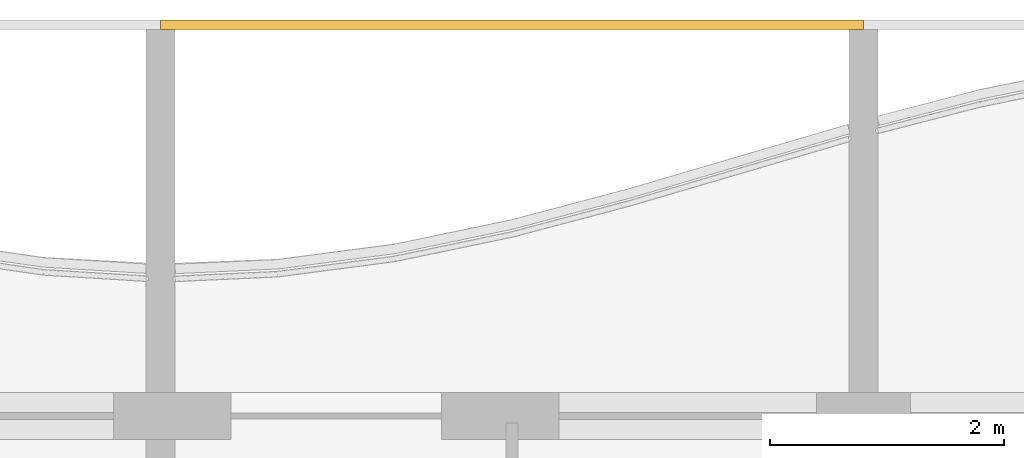
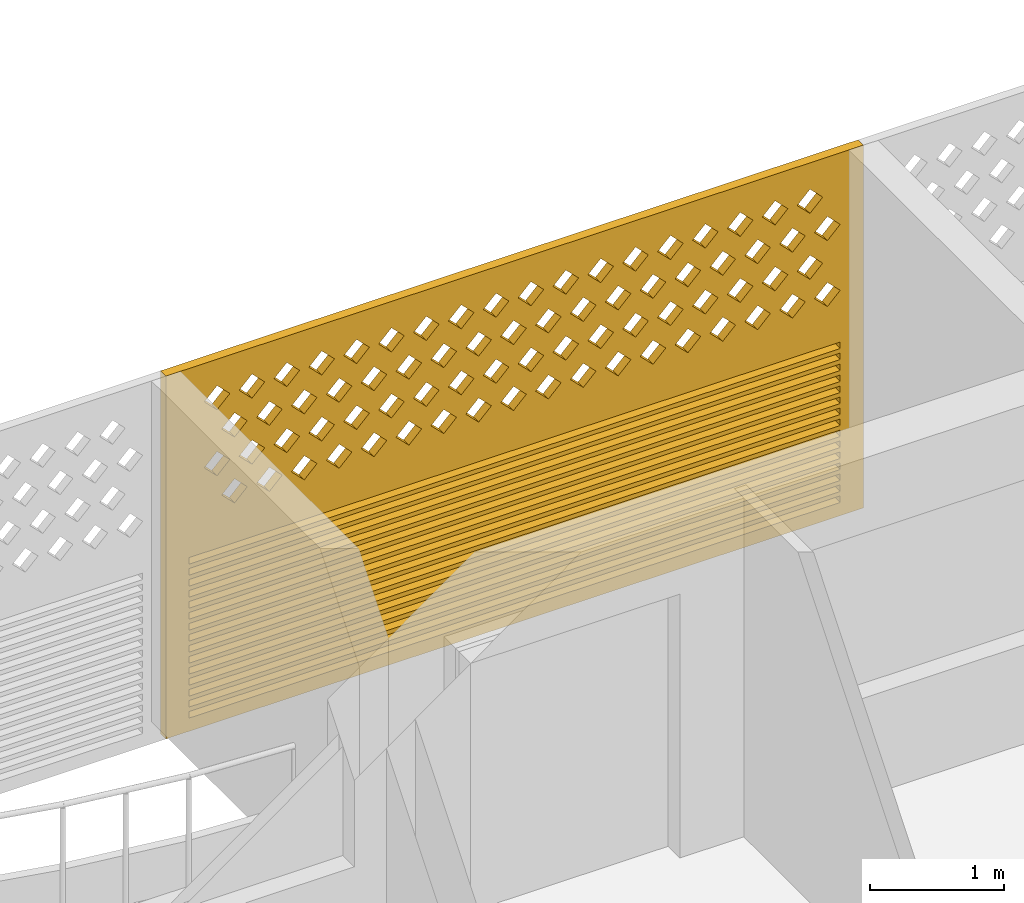
# One storey, part 26 of 28: 1 covering.
"""IFC4 building model written with IfcOpenShell, lengths in metres."""

from ifc_helpers import new_model, si_unit, direction, frame, origin, place, context, subcontext, project, spatial, polyline, outline, extrude, source, transform, mapped, material, material_profile, profile_set, type_object, element, save


model = new_model("IFC4")

# Units and contexts
model_context = context("Model", 3, precision=1e-05, world=origin(), true_north=direction((0.0, 1.0)))
body_context = subcontext(model_context, "Body", "Model", "MODEL_VIEW")
ifc_project = project(units=[si_unit("LENGTHUNIT", "METRE"), si_unit("AREAUNIT", "SQUARE_METRE"), si_unit("VOLUMEUNIT", "CUBIC_METRE"), si_unit("PLANEANGLEUNIT", "RADIAN"), si_unit("MASSUNIT", "GRAM", prefix="KILO")], contexts=[model_context])

# Site, building, storey
site_placement = place(None, origin())
site = spatial("IfcSite", under=ifc_project, at=site_placement, CompositionType="ELEMENT")
building_placement = place(site_placement, origin())
building = spatial("IfcBuilding", under=site, at=building_placement, Name="Poui Terraces", CompositionType="ELEMENT")
storey_placement = place(building_placement, frame((0.0, 0.0, 188.39990234375)))
storey = spatial("IfcBuildingStorey", under=building, at=storey_placement, Name="L52", CompositionType="ELEMENT", Elevation=188.39990234375)

# Covering
ifc_material = material(Name="Terracotta screen", Category="masonry")
ifc_material_profile = material_profile(ifc_material, outline(polyline([(-3.0, -1.64990234375), (3.0, -1.64990234375), (3.0, 1.64990234375), (-3.0, 1.64990234375), (-3.0, -1.64990234375)]), holes=[polyline([(-2.800048828125, 0.39990234375), (-2.68994140625, 0.2900390625), (-2.580078125, 0.39990234375), (-2.68994140625, 0.510009765625), (-2.800048828125, 0.39990234375)]), polyline([(-2.5, 0.39990234375), (-2.389892578125, 0.2900390625), (-2.280029296875, 0.39990234375), (-2.389892578125, 0.510009765625), (-2.5, 0.39990234375)]), polyline([(-2.199951171875, 0.39990234375), (-2.090087890625, 0.2900390625), (-1.97998046875, 0.39990234375), (-2.090087890625, 0.510009765625), (-2.199951171875, 0.39990234375)]), polyline([(-1.89990234375, 0.39990234375), (-1.7900390625, 0.2900390625), (-1.679931640625, 0.39990234375), (-1.7900390625, 0.510009765625), (-1.89990234375, 0.39990234375)]), polyline([(-1.60009765625, 0.39990234375), (-1.489990234375, 0.2900390625), (-1.3798828125, 0.39990234375), (-1.489990234375, 0.510009765625), (-1.60009765625, 0.39990234375)]), polyline([(-1.300048828125, 0.39990234375), (-1.18994140625, 0.2900390625), (-1.080078125, 0.39990234375), (-1.18994140625, 0.510009765625), (-1.300048828125, 0.39990234375)]), polyline([(-1.0, 0.39990234375), (-0.889892578125, 0.2900390625), (-0.780029296875, 0.39990234375), (-0.889892578125, 0.510009765625), (-1.0, 0.39990234375)]), polyline([(-0.699951171875, 0.39990234375), (-0.590087890625, 0.2900390625), (-0.47998046875, 0.39990234375), (-0.590087890625, 0.510009765625), (-0.699951171875, 0.39990234375)]), polyline([(-0.39990234375, 0.39990234375), (-0.2900390625, 0.2900390625), (-0.179931640625, 0.39990234375), (-0.2900390625, 0.510009765625), (-0.39990234375, 0.39990234375)]), polyline([(-0.10009765625, 0.39990234375), (0.010009765625, 0.2900390625), (0.1201171875, 0.39990234375), (0.010009765625, 0.510009765625), (-0.10009765625, 0.39990234375)]), polyline([(0.199951171875, 0.39990234375), (0.31005859375, 0.2900390625), (0.419921875, 0.39990234375), (0.31005859375, 0.510009765625), (0.199951171875, 0.39990234375)]), polyline([(0.5, 0.39990234375), (0.610107421875, 0.2900390625), (0.719970703125, 0.39990234375), (0.610107421875, 0.510009765625), (0.5, 0.39990234375)]), polyline([(0.800048828125, 0.39990234375), (0.909912109375, 0.2900390625), (1.02001953125, 0.39990234375), (0.909912109375, 0.510009765625), (0.800048828125, 0.39990234375)]), polyline([(1.10009765625, 0.39990234375), (1.2099609375, 0.2900390625), (1.320068359375, 0.39990234375), (1.2099609375, 0.510009765625), (1.10009765625, 0.39990234375)]), polyline([(1.39990234375, 0.39990234375), (1.510009765625, 0.2900390625), (1.6201171875, 0.39990234375), (1.510009765625, 0.510009765625), (1.39990234375, 0.39990234375)]), polyline([(1.699951171875, 0.39990234375), (1.81005859375, 0.2900390625), (1.919921875, 0.39990234375), (1.81005859375, 0.510009765625), (1.699951171875, 0.39990234375)]), polyline([(2.0, 0.39990234375), (2.110107421875, 0.2900390625), (2.219970703125, 0.39990234375), (2.110107421875, 0.510009765625), (2.0, 0.39990234375)]), polyline([(2.300048828125, 0.39990234375), (2.409912109375, 0.2900390625), (2.52001953125, 0.39990234375), (2.409912109375, 0.510009765625), (2.300048828125, 0.39990234375)]), polyline([(-2.64990234375, 0.699951171875), (-2.5400390625, 0.590087890625), (-2.429931640625, 0.699951171875), (-2.5400390625, 0.81005859375), (-2.64990234375, 0.699951171875)]), polyline([(-2.35009765625, 0.699951171875), (-2.239990234375, 0.590087890625), (-2.1298828125, 0.699951171875), (-2.239990234375, 0.81005859375), (-2.35009765625, 0.699951171875)]), polyline([(-2.050048828125, 0.699951171875), (-1.93994140625, 0.590087890625), (-1.830078125, 0.699951171875), (-1.93994140625, 0.81005859375), (-2.050048828125, 0.699951171875)]), polyline([(-1.75, 0.699951171875), (-1.639892578125, 0.590087890625), (-1.530029296875, 0.699951171875), (-1.639892578125, 0.81005859375), (-1.75, 0.699951171875)]), polyline([(-1.449951171875, 0.699951171875), (-1.340087890625, 0.590087890625), (-1.22998046875, 0.699951171875), (-1.340087890625, 0.81005859375), (-1.449951171875, 0.699951171875)]), polyline([(-1.14990234375, 0.699951171875), (-1.0400390625, 0.590087890625), (-0.929931640625, 0.699951171875), (-1.0400390625, 0.81005859375), (-1.14990234375, 0.699951171875)]), polyline([(-0.85009765625, 0.699951171875), (-0.739990234375, 0.590087890625), (-0.6298828125, 0.699951171875), (-0.739990234375, 0.81005859375), (-0.85009765625, 0.699951171875)]), polyline([(-0.550048828125, 0.699951171875), (-0.43994140625, 0.590087890625), (-0.330078125, 0.699951171875), (-0.43994140625, 0.81005859375), (-0.550048828125, 0.699951171875)]), polyline([(-0.25, 0.699951171875), (-0.139892578125, 0.590087890625), (-0.030029296875, 0.699951171875), (-0.139892578125, 0.81005859375), (-0.25, 0.699951171875)]), polyline([(0.050048828125, 0.699951171875), (0.159912109375, 0.590087890625), (0.27001953125, 0.699951171875), (0.159912109375, 0.81005859375), (0.050048828125, 0.699951171875)]), polyline([(0.35009765625, 0.699951171875), (0.4599609375, 0.590087890625), (0.570068359375, 0.699951171875), (0.4599609375, 0.81005859375), (0.35009765625, 0.699951171875)]), polyline([(0.64990234375, 0.699951171875), (0.760009765625, 0.590087890625), (0.8701171875, 0.699951171875), (0.760009765625, 0.81005859375), (0.64990234375, 0.699951171875)]), polyline([(0.949951171875, 0.699951171875), (1.06005859375, 0.590087890625), (1.169921875, 0.699951171875), (1.06005859375, 0.81005859375), (0.949951171875, 0.699951171875)]), polyline([(1.25, 0.699951171875), (1.360107421875, 0.590087890625), (1.469970703125, 0.699951171875), (1.360107421875, 0.81005859375), (1.25, 0.699951171875)]), polyline([(1.550048828125, 0.699951171875), (1.659912109375, 0.590087890625), (1.77001953125, 0.699951171875), (1.659912109375, 0.81005859375), (1.550048828125, 0.699951171875)]), polyline([(1.85009765625, 0.699951171875), (1.9599609375, 0.590087890625), (2.070068359375, 0.699951171875), (1.9599609375, 0.81005859375), (1.85009765625, 0.699951171875)]), polyline([(2.14990234375, 0.699951171875), (2.260009765625, 0.590087890625), (2.3701171875, 0.699951171875), (2.260009765625, 0.81005859375), (2.14990234375, 0.699951171875)]), polyline([(2.449951171875, 0.699951171875), (2.56005859375, 0.590087890625), (2.669921875, 0.699951171875), (2.56005859375, 0.81005859375), (2.449951171875, 0.699951171875)]), polyline([(-2.800048828125, 1.0), (-2.68994140625, 0.889892578125), (-2.580078125, 1.0), (-2.68994140625, 1.110107421875), (-2.800048828125, 1.0)]), polyline([(-2.5, 1.0), (-2.389892578125, 0.889892578125), (-2.280029296875, 1.0), (-2.389892578125, 1.110107421875), (-2.5, 1.0)]), polyline([(-2.199951171875, 1.0), (-2.090087890625, 0.889892578125), (-1.97998046875, 1.0), (-2.090087890625, 1.110107421875), (-2.199951171875, 1.0)]), polyline([(-1.89990234375, 1.0), (-1.7900390625, 0.889892578125), (-1.679931640625, 1.0), (-1.7900390625, 1.110107421875), (-1.89990234375, 1.0)]), polyline([(-1.60009765625, 1.0), (-1.489990234375, 0.889892578125), (-1.3798828125, 1.0), (-1.489990234375, 1.110107421875), (-1.60009765625, 1.0)]), polyline([(-1.300048828125, 1.0), (-1.18994140625, 0.889892578125), (-1.080078125, 1.0), (-1.18994140625, 1.110107421875), (-1.300048828125, 1.0)]), polyline([(-1.0, 1.0), (-0.889892578125, 0.889892578125), (-0.780029296875, 1.0), (-0.889892578125, 1.110107421875), (-1.0, 1.0)]), polyline([(-0.699951171875, 1.0), (-0.590087890625, 0.889892578125), (-0.47998046875, 1.0), (-0.590087890625, 1.110107421875), (-0.699951171875, 1.0)]), polyline([(-0.39990234375, 1.0), (-0.2900390625, 0.889892578125), (-0.179931640625, 1.0), (-0.2900390625, 1.110107421875), (-0.39990234375, 1.0)]), polyline([(-0.10009765625, 1.0), (0.010009765625, 0.889892578125), (0.1201171875, 1.0), (0.010009765625, 1.110107421875), (-0.10009765625, 1.0)]), polyline([(0.199951171875, 1.0), (0.31005859375, 0.889892578125), (0.419921875, 1.0), (0.31005859375, 1.110107421875), (0.199951171875, 1.0)]), polyline([(0.5, 1.0), (0.610107421875, 0.889892578125), (0.719970703125, 1.0), (0.610107421875, 1.110107421875), (0.5, 1.0)]), polyline([(0.800048828125, 1.0), (0.909912109375, 0.889892578125), (1.02001953125, 1.0), (0.909912109375, 1.110107421875), (0.800048828125, 1.0)]), polyline([(1.10009765625, 1.0), (1.2099609375, 0.889892578125), (1.320068359375, 1.0), (1.2099609375, 1.110107421875), (1.10009765625, 1.0)]), polyline([(1.39990234375, 1.0), (1.510009765625, 0.889892578125), (1.6201171875, 1.0), (1.510009765625, 1.110107421875), (1.39990234375, 1.0)]), polyline([(1.699951171875, 1.0), (1.81005859375, 0.889892578125), (1.919921875, 1.0), (1.81005859375, 1.110107421875), (1.699951171875, 1.0)]), polyline([(2.0, 1.0), (2.110107421875, 0.889892578125), (2.219970703125, 1.0), (2.110107421875, 1.110107421875), (2.0, 1.0)]), polyline([(2.300048828125, 1.0), (2.409912109375, 0.889892578125), (2.52001953125, 1.0), (2.409912109375, 1.110107421875), (2.300048828125, 1.0)]), polyline([(-2.64990234375, 1.300048828125), (-2.5400390625, 1.18994140625), (-2.429931640625, 1.300048828125), (-2.5400390625, 1.409912109375), (-2.64990234375, 1.300048828125)]), polyline([(-2.35009765625, 1.300048828125), (-2.239990234375, 1.18994140625), (-2.1298828125, 1.300048828125), (-2.239990234375, 1.409912109375), (-2.35009765625, 1.300048828125)]), polyline([(-2.050048828125, 1.300048828125), (-1.93994140625, 1.18994140625), (-1.830078125, 1.300048828125), (-1.93994140625, 1.409912109375), (-2.050048828125, 1.300048828125)]), polyline([(-1.75, 1.300048828125), (-1.639892578125, 1.18994140625), (-1.530029296875, 1.300048828125), (-1.639892578125, 1.409912109375), (-1.75, 1.300048828125)]), polyline([(-1.449951171875, 1.300048828125), (-1.340087890625, 1.18994140625), (-1.22998046875, 1.300048828125), (-1.340087890625, 1.409912109375), (-1.449951171875, 1.300048828125)]), polyline([(-1.14990234375, 1.300048828125), (-1.0400390625, 1.18994140625), (-0.929931640625, 1.300048828125), (-1.0400390625, 1.409912109375), (-1.14990234375, 1.300048828125)]), polyline([(-0.85009765625, 1.300048828125), (-0.739990234375, 1.18994140625), (-0.6298828125, 1.300048828125), (-0.739990234375, 1.409912109375), (-0.85009765625, 1.300048828125)]), polyline([(-0.550048828125, 1.300048828125), (-0.43994140625, 1.18994140625), (-0.330078125, 1.300048828125), (-0.43994140625, 1.409912109375), (-0.550048828125, 1.300048828125)]), polyline([(-0.25, 1.300048828125), (-0.139892578125, 1.18994140625), (-0.030029296875, 1.300048828125), (-0.139892578125, 1.409912109375), (-0.25, 1.300048828125)]), polyline([(0.050048828125, 1.300048828125), (0.159912109375, 1.18994140625), (0.27001953125, 1.300048828125), (0.159912109375, 1.409912109375), (0.050048828125, 1.300048828125)]), polyline([(0.35009765625, 1.300048828125), (0.4599609375, 1.18994140625), (0.570068359375, 1.300048828125), (0.4599609375, 1.409912109375), (0.35009765625, 1.300048828125)]), polyline([(0.64990234375, 1.300048828125), (0.760009765625, 1.18994140625), (0.8701171875, 1.300048828125), (0.760009765625, 1.409912109375), (0.64990234375, 1.300048828125)]), polyline([(0.949951171875, 1.300048828125), (1.06005859375, 1.18994140625), (1.169921875, 1.300048828125), (1.06005859375, 1.409912109375), (0.949951171875, 1.300048828125)]), polyline([(1.25, 1.300048828125), (1.360107421875, 1.18994140625), (1.469970703125, 1.300048828125), (1.360107421875, 1.409912109375), (1.25, 1.300048828125)]), polyline([(1.550048828125, 1.300048828125), (1.659912109375, 1.18994140625), (1.77001953125, 1.300048828125), (1.659912109375, 1.409912109375), (1.550048828125, 1.300048828125)]), polyline([(1.85009765625, 1.300048828125), (1.9599609375, 1.18994140625), (2.070068359375, 1.300048828125), (1.9599609375, 1.409912109375), (1.85009765625, 1.300048828125)]), polyline([(2.14990234375, 1.300048828125), (2.260009765625, 1.18994140625), (2.3701171875, 1.300048828125), (2.260009765625, 1.409912109375), (2.14990234375, 1.300048828125)]), polyline([(2.449951171875, 1.300048828125), (2.56005859375, 1.18994140625), (2.669921875, 1.300048828125), (2.56005859375, 1.409912109375), (2.449951171875, 1.300048828125)]), polyline([(-2.800048828125, -1.530029296875), (2.800048828125, -1.530029296875), (2.800048828125, -1.469970703125), (-2.800048828125, -1.469970703125), (-2.800048828125, -1.530029296875)]), polyline([(-2.800048828125, -1.429931640625), (2.800048828125, -1.429931640625), (2.800048828125, -1.3701171875), (-2.800048828125, -1.3701171875), (-2.800048828125, -1.429931640625)]), polyline([(-2.800048828125, -1.330078125), (2.800048828125, -1.330078125), (2.800048828125, -1.27001953125), (-2.800048828125, -1.27001953125), (-2.800048828125, -1.330078125)]), polyline([(-2.800048828125, -1.22998046875), (2.800048828125, -1.22998046875), (2.800048828125, -1.169921875), (-2.800048828125, -1.169921875), (-2.800048828125, -1.22998046875)]), polyline([(-2.800048828125, -1.1298828125), (2.800048828125, -1.1298828125), (2.800048828125, -1.070068359375), (-2.800048828125, -1.070068359375), (-2.800048828125, -1.1298828125)]), polyline([(-2.800048828125, -1.030029296875), (2.800048828125, -1.030029296875), (2.800048828125, -0.969970703125), (-2.800048828125, -0.969970703125), (-2.800048828125, -1.030029296875)]), polyline([(-2.800048828125, -0.929931640625), (2.800048828125, -0.929931640625), (2.800048828125, -0.8701171875), (-2.800048828125, -0.8701171875), (-2.800048828125, -0.929931640625)]), polyline([(-2.800048828125, -0.830078125), (2.800048828125, -0.830078125), (2.800048828125, -0.77001953125), (-2.800048828125, -0.77001953125), (-2.800048828125, -0.830078125)]), polyline([(-2.800048828125, -0.72998046875), (2.800048828125, -0.72998046875), (2.800048828125, -0.669921875), (-2.800048828125, -0.669921875), (-2.800048828125, -0.72998046875)]), polyline([(-2.800048828125, -0.6298828125), (2.800048828125, -0.6298828125), (2.800048828125, -0.570068359375), (-2.800048828125, -0.570068359375), (-2.800048828125, -0.6298828125)]), polyline([(-2.800048828125, -0.530029296875), (2.800048828125, -0.530029296875), (2.800048828125, -0.469970703125), (-2.800048828125, -0.469970703125), (-2.800048828125, -0.530029296875)]), polyline([(-2.800048828125, -0.429931640625), (2.800048828125, -0.429931640625), (2.800048828125, -0.3701171875), (-2.800048828125, -0.3701171875), (-2.800048828125, -0.429931640625)]), polyline([(-2.800048828125, -0.330078125), (2.800048828125, -0.330078125), (2.800048828125, -0.27001953125), (-2.800048828125, -0.27001953125), (-2.800048828125, -0.330078125)]), polyline([(-2.800048828125, -0.22998046875), (2.800048828125, -0.22998046875), (2.800048828125, -0.169921875), (-2.800048828125, -0.169921875), (-2.800048828125, -0.22998046875)]), polyline([(-2.800048828125, -0.1298828125), (2.800048828125, -0.1298828125), (2.800048828125, -0.070068359375), (-2.800048828125, -0.070068359375), (-2.800048828125, -0.1298828125)])]), Name="TERRACOTTA SCREEN AND JALOUSIE LOUVRE 6000X3300")
ifc_profile_set = profile_set([ifc_material_profile], Name="Terracotta screen")
covering_type = type_object("IfcCoveringType", Name="TERRACOTTA SCREEN AND JALOUSIE LOUVRE 6000X3300", PredefinedType="CLADDING", material=ifc_profile_set)
shared_shape = source(origin(), body_context, "Body", "SweptSolid", [
    extrude(outline(polyline([(-3.0, -1.64990234375), (3.0, -1.64990234375), (3.0, 1.64990234375), (-3.0, 1.64990234375), (-3.0, -1.64990234375)]), holes=[polyline([(-2.800048828125, 0.39990234375), (-2.68994140625, 0.2900390625), (-2.580078125, 0.39990234375), (-2.68994140625, 0.510009765625), (-2.800048828125, 0.39990234375)]), polyline([(-2.5, 0.39990234375), (-2.389892578125, 0.2900390625), (-2.280029296875, 0.39990234375), (-2.389892578125, 0.510009765625), (-2.5, 0.39990234375)]), polyline([(-2.199951171875, 0.39990234375), (-2.090087890625, 0.2900390625), (-1.97998046875, 0.39990234375), (-2.090087890625, 0.510009765625), (-2.199951171875, 0.39990234375)]), polyline([(-1.89990234375, 0.39990234375), (-1.7900390625, 0.2900390625), (-1.679931640625, 0.39990234375), (-1.7900390625, 0.510009765625), (-1.89990234375, 0.39990234375)]), polyline([(-1.60009765625, 0.39990234375), (-1.489990234375, 0.2900390625), (-1.3798828125, 0.39990234375), (-1.489990234375, 0.510009765625), (-1.60009765625, 0.39990234375)]), polyline([(-1.300048828125, 0.39990234375), (-1.18994140625, 0.2900390625), (-1.080078125, 0.39990234375), (-1.18994140625, 0.510009765625), (-1.300048828125, 0.39990234375)]), polyline([(-1.0, 0.39990234375), (-0.889892578125, 0.2900390625), (-0.780029296875, 0.39990234375), (-0.889892578125, 0.510009765625), (-1.0, 0.39990234375)]), polyline([(-0.699951171875, 0.39990234375), (-0.590087890625, 0.2900390625), (-0.47998046875, 0.39990234375), (-0.590087890625, 0.510009765625), (-0.699951171875, 0.39990234375)]), polyline([(-0.39990234375, 0.39990234375), (-0.2900390625, 0.2900390625), (-0.179931640625, 0.39990234375), (-0.2900390625, 0.510009765625), (-0.39990234375, 0.39990234375)]), polyline([(-0.10009765625, 0.39990234375), (0.010009765625, 0.2900390625), (0.1201171875, 0.39990234375), (0.010009765625, 0.510009765625), (-0.10009765625, 0.39990234375)]), polyline([(0.199951171875, 0.39990234375), (0.31005859375, 0.2900390625), (0.419921875, 0.39990234375), (0.31005859375, 0.510009765625), (0.199951171875, 0.39990234375)]), polyline([(0.5, 0.39990234375), (0.610107421875, 0.2900390625), (0.719970703125, 0.39990234375), (0.610107421875, 0.510009765625), (0.5, 0.39990234375)]), polyline([(0.800048828125, 0.39990234375), (0.909912109375, 0.2900390625), (1.02001953125, 0.39990234375), (0.909912109375, 0.510009765625), (0.800048828125, 0.39990234375)]), polyline([(1.10009765625, 0.39990234375), (1.2099609375, 0.2900390625), (1.320068359375, 0.39990234375), (1.2099609375, 0.510009765625), (1.10009765625, 0.39990234375)]), polyline([(1.39990234375, 0.39990234375), (1.510009765625, 0.2900390625), (1.6201171875, 0.39990234375), (1.510009765625, 0.510009765625), (1.39990234375, 0.39990234375)]), polyline([(1.699951171875, 0.39990234375), (1.81005859375, 0.2900390625), (1.919921875, 0.39990234375), (1.81005859375, 0.510009765625), (1.699951171875, 0.39990234375)]), polyline([(2.0, 0.39990234375), (2.110107421875, 0.2900390625), (2.219970703125, 0.39990234375), (2.110107421875, 0.510009765625), (2.0, 0.39990234375)]), polyline([(2.300048828125, 0.39990234375), (2.409912109375, 0.2900390625), (2.52001953125, 0.39990234375), (2.409912109375, 0.510009765625), (2.300048828125, 0.39990234375)]), polyline([(-2.64990234375, 0.699951171875), (-2.5400390625, 0.590087890625), (-2.429931640625, 0.699951171875), (-2.5400390625, 0.81005859375), (-2.64990234375, 0.699951171875)]), polyline([(-2.35009765625, 0.699951171875), (-2.239990234375, 0.590087890625), (-2.1298828125, 0.699951171875), (-2.239990234375, 0.81005859375), (-2.35009765625, 0.699951171875)]), polyline([(-2.050048828125, 0.699951171875), (-1.93994140625, 0.590087890625), (-1.830078125, 0.699951171875), (-1.93994140625, 0.81005859375), (-2.050048828125, 0.699951171875)]), polyline([(-1.75, 0.699951171875), (-1.639892578125, 0.590087890625), (-1.530029296875, 0.699951171875), (-1.639892578125, 0.81005859375), (-1.75, 0.699951171875)]), polyline([(-1.449951171875, 0.699951171875), (-1.340087890625, 0.590087890625), (-1.22998046875, 0.699951171875), (-1.340087890625, 0.81005859375), (-1.449951171875, 0.699951171875)]), polyline([(-1.14990234375, 0.699951171875), (-1.0400390625, 0.590087890625), (-0.929931640625, 0.699951171875), (-1.0400390625, 0.81005859375), (-1.14990234375, 0.699951171875)]), polyline([(-0.85009765625, 0.699951171875), (-0.739990234375, 0.590087890625), (-0.6298828125, 0.699951171875), (-0.739990234375, 0.81005859375), (-0.85009765625, 0.699951171875)]), polyline([(-0.550048828125, 0.699951171875), (-0.43994140625, 0.590087890625), (-0.330078125, 0.699951171875), (-0.43994140625, 0.81005859375), (-0.550048828125, 0.699951171875)]), polyline([(-0.25, 0.699951171875), (-0.139892578125, 0.590087890625), (-0.030029296875, 0.699951171875), (-0.139892578125, 0.81005859375), (-0.25, 0.699951171875)]), polyline([(0.050048828125, 0.699951171875), (0.159912109375, 0.590087890625), (0.27001953125, 0.699951171875), (0.159912109375, 0.81005859375), (0.050048828125, 0.699951171875)]), polyline([(0.35009765625, 0.699951171875), (0.4599609375, 0.590087890625), (0.570068359375, 0.699951171875), (0.4599609375, 0.81005859375), (0.35009765625, 0.699951171875)]), polyline([(0.64990234375, 0.699951171875), (0.760009765625, 0.590087890625), (0.8701171875, 0.699951171875), (0.760009765625, 0.81005859375), (0.64990234375, 0.699951171875)]), polyline([(0.949951171875, 0.699951171875), (1.06005859375, 0.590087890625), (1.169921875, 0.699951171875), (1.06005859375, 0.81005859375), (0.949951171875, 0.699951171875)]), polyline([(1.25, 0.699951171875), (1.360107421875, 0.590087890625), (1.469970703125, 0.699951171875), (1.360107421875, 0.81005859375), (1.25, 0.699951171875)]), polyline([(1.550048828125, 0.699951171875), (1.659912109375, 0.590087890625), (1.77001953125, 0.699951171875), (1.659912109375, 0.81005859375), (1.550048828125, 0.699951171875)]), polyline([(1.85009765625, 0.699951171875), (1.9599609375, 0.590087890625), (2.070068359375, 0.699951171875), (1.9599609375, 0.81005859375), (1.85009765625, 0.699951171875)]), polyline([(2.14990234375, 0.699951171875), (2.260009765625, 0.590087890625), (2.3701171875, 0.699951171875), (2.260009765625, 0.81005859375), (2.14990234375, 0.699951171875)]), polyline([(2.449951171875, 0.699951171875), (2.56005859375, 0.590087890625), (2.669921875, 0.699951171875), (2.56005859375, 0.81005859375), (2.449951171875, 0.699951171875)]), polyline([(-2.800048828125, 1.0), (-2.68994140625, 0.889892578125), (-2.580078125, 1.0), (-2.68994140625, 1.110107421875), (-2.800048828125, 1.0)]), polyline([(-2.5, 1.0), (-2.389892578125, 0.889892578125), (-2.280029296875, 1.0), (-2.389892578125, 1.110107421875), (-2.5, 1.0)]), polyline([(-2.199951171875, 1.0), (-2.090087890625, 0.889892578125), (-1.97998046875, 1.0), (-2.090087890625, 1.110107421875), (-2.199951171875, 1.0)]), polyline([(-1.89990234375, 1.0), (-1.7900390625, 0.889892578125), (-1.679931640625, 1.0), (-1.7900390625, 1.110107421875), (-1.89990234375, 1.0)]), polyline([(-1.60009765625, 1.0), (-1.489990234375, 0.889892578125), (-1.3798828125, 1.0), (-1.489990234375, 1.110107421875), (-1.60009765625, 1.0)]), polyline([(-1.300048828125, 1.0), (-1.18994140625, 0.889892578125), (-1.080078125, 1.0), (-1.18994140625, 1.110107421875), (-1.300048828125, 1.0)]), polyline([(-1.0, 1.0), (-0.889892578125, 0.889892578125), (-0.780029296875, 1.0), (-0.889892578125, 1.110107421875), (-1.0, 1.0)]), polyline([(-0.699951171875, 1.0), (-0.590087890625, 0.889892578125), (-0.47998046875, 1.0), (-0.590087890625, 1.110107421875), (-0.699951171875, 1.0)]), polyline([(-0.39990234375, 1.0), (-0.2900390625, 0.889892578125), (-0.179931640625, 1.0), (-0.2900390625, 1.110107421875), (-0.39990234375, 1.0)]), polyline([(-0.10009765625, 1.0), (0.010009765625, 0.889892578125), (0.1201171875, 1.0), (0.010009765625, 1.110107421875), (-0.10009765625, 1.0)]), polyline([(0.199951171875, 1.0), (0.31005859375, 0.889892578125), (0.419921875, 1.0), (0.31005859375, 1.110107421875), (0.199951171875, 1.0)]), polyline([(0.5, 1.0), (0.610107421875, 0.889892578125), (0.719970703125, 1.0), (0.610107421875, 1.110107421875), (0.5, 1.0)]), polyline([(0.800048828125, 1.0), (0.909912109375, 0.889892578125), (1.02001953125, 1.0), (0.909912109375, 1.110107421875), (0.800048828125, 1.0)]), polyline([(1.10009765625, 1.0), (1.2099609375, 0.889892578125), (1.320068359375, 1.0), (1.2099609375, 1.110107421875), (1.10009765625, 1.0)]), polyline([(1.39990234375, 1.0), (1.510009765625, 0.889892578125), (1.6201171875, 1.0), (1.510009765625, 1.110107421875), (1.39990234375, 1.0)]), polyline([(1.699951171875, 1.0), (1.81005859375, 0.889892578125), (1.919921875, 1.0), (1.81005859375, 1.110107421875), (1.699951171875, 1.0)]), polyline([(2.0, 1.0), (2.110107421875, 0.889892578125), (2.219970703125, 1.0), (2.110107421875, 1.110107421875), (2.0, 1.0)]), polyline([(2.300048828125, 1.0), (2.409912109375, 0.889892578125), (2.52001953125, 1.0), (2.409912109375, 1.110107421875), (2.300048828125, 1.0)]), polyline([(-2.64990234375, 1.300048828125), (-2.5400390625, 1.18994140625), (-2.429931640625, 1.300048828125), (-2.5400390625, 1.409912109375), (-2.64990234375, 1.300048828125)]), polyline([(-2.35009765625, 1.300048828125), (-2.239990234375, 1.18994140625), (-2.1298828125, 1.300048828125), (-2.239990234375, 1.409912109375), (-2.35009765625, 1.300048828125)]), polyline([(-2.050048828125, 1.300048828125), (-1.93994140625, 1.18994140625), (-1.830078125, 1.300048828125), (-1.93994140625, 1.409912109375), (-2.050048828125, 1.300048828125)]), polyline([(-1.75, 1.300048828125), (-1.639892578125, 1.18994140625), (-1.530029296875, 1.300048828125), (-1.639892578125, 1.409912109375), (-1.75, 1.300048828125)]), polyline([(-1.449951171875, 1.300048828125), (-1.340087890625, 1.18994140625), (-1.22998046875, 1.300048828125), (-1.340087890625, 1.409912109375), (-1.449951171875, 1.300048828125)]), polyline([(-1.14990234375, 1.300048828125), (-1.0400390625, 1.18994140625), (-0.929931640625, 1.300048828125), (-1.0400390625, 1.409912109375), (-1.14990234375, 1.300048828125)]), polyline([(-0.85009765625, 1.300048828125), (-0.739990234375, 1.18994140625), (-0.6298828125, 1.300048828125), (-0.739990234375, 1.409912109375), (-0.85009765625, 1.300048828125)]), polyline([(-0.550048828125, 1.300048828125), (-0.43994140625, 1.18994140625), (-0.330078125, 1.300048828125), (-0.43994140625, 1.409912109375), (-0.550048828125, 1.300048828125)]), polyline([(-0.25, 1.300048828125), (-0.139892578125, 1.18994140625), (-0.030029296875, 1.300048828125), (-0.139892578125, 1.409912109375), (-0.25, 1.300048828125)]), polyline([(0.050048828125, 1.300048828125), (0.159912109375, 1.18994140625), (0.27001953125, 1.300048828125), (0.159912109375, 1.409912109375), (0.050048828125, 1.300048828125)]), polyline([(0.35009765625, 1.300048828125), (0.4599609375, 1.18994140625), (0.570068359375, 1.300048828125), (0.4599609375, 1.409912109375), (0.35009765625, 1.300048828125)]), polyline([(0.64990234375, 1.300048828125), (0.760009765625, 1.18994140625), (0.8701171875, 1.300048828125), (0.760009765625, 1.409912109375), (0.64990234375, 1.300048828125)]), polyline([(0.949951171875, 1.300048828125), (1.06005859375, 1.18994140625), (1.169921875, 1.300048828125), (1.06005859375, 1.409912109375), (0.949951171875, 1.300048828125)]), polyline([(1.25, 1.300048828125), (1.360107421875, 1.18994140625), (1.469970703125, 1.300048828125), (1.360107421875, 1.409912109375), (1.25, 1.300048828125)]), polyline([(1.550048828125, 1.300048828125), (1.659912109375, 1.18994140625), (1.77001953125, 1.300048828125), (1.659912109375, 1.409912109375), (1.550048828125, 1.300048828125)]), polyline([(1.85009765625, 1.300048828125), (1.9599609375, 1.18994140625), (2.070068359375, 1.300048828125), (1.9599609375, 1.409912109375), (1.85009765625, 1.300048828125)]), polyline([(2.14990234375, 1.300048828125), (2.260009765625, 1.18994140625), (2.3701171875, 1.300048828125), (2.260009765625, 1.409912109375), (2.14990234375, 1.300048828125)]), polyline([(2.449951171875, 1.300048828125), (2.56005859375, 1.18994140625), (2.669921875, 1.300048828125), (2.56005859375, 1.409912109375), (2.449951171875, 1.300048828125)]), polyline([(-2.800048828125, -1.530029296875), (2.800048828125, -1.530029296875), (2.800048828125, -1.469970703125), (-2.800048828125, -1.469970703125), (-2.800048828125, -1.530029296875)]), polyline([(-2.800048828125, -1.429931640625), (2.800048828125, -1.429931640625), (2.800048828125, -1.3701171875), (-2.800048828125, -1.3701171875), (-2.800048828125, -1.429931640625)]), polyline([(-2.800048828125, -1.330078125), (2.800048828125, -1.330078125), (2.800048828125, -1.27001953125), (-2.800048828125, -1.27001953125), (-2.800048828125, -1.330078125)]), polyline([(-2.800048828125, -1.22998046875), (2.800048828125, -1.22998046875), (2.800048828125, -1.169921875), (-2.800048828125, -1.169921875), (-2.800048828125, -1.22998046875)]), polyline([(-2.800048828125, -1.1298828125), (2.800048828125, -1.1298828125), (2.800048828125, -1.070068359375), (-2.800048828125, -1.070068359375), (-2.800048828125, -1.1298828125)]), polyline([(-2.800048828125, -1.030029296875), (2.800048828125, -1.030029296875), (2.800048828125, -0.969970703125), (-2.800048828125, -0.969970703125), (-2.800048828125, -1.030029296875)]), polyline([(-2.800048828125, -0.929931640625), (2.800048828125, -0.929931640625), (2.800048828125, -0.8701171875), (-2.800048828125, -0.8701171875), (-2.800048828125, -0.929931640625)]), polyline([(-2.800048828125, -0.830078125), (2.800048828125, -0.830078125), (2.800048828125, -0.77001953125), (-2.800048828125, -0.77001953125), (-2.800048828125, -0.830078125)]), polyline([(-2.800048828125, -0.72998046875), (2.800048828125, -0.72998046875), (2.800048828125, -0.669921875), (-2.800048828125, -0.669921875), (-2.800048828125, -0.72998046875)]), polyline([(-2.800048828125, -0.6298828125), (2.800048828125, -0.6298828125), (2.800048828125, -0.570068359375), (-2.800048828125, -0.570068359375), (-2.800048828125, -0.6298828125)]), polyline([(-2.800048828125, -0.530029296875), (2.800048828125, -0.530029296875), (2.800048828125, -0.469970703125), (-2.800048828125, -0.469970703125), (-2.800048828125, -0.530029296875)]), polyline([(-2.800048828125, -0.429931640625), (2.800048828125, -0.429931640625), (2.800048828125, -0.3701171875), (-2.800048828125, -0.3701171875), (-2.800048828125, -0.429931640625)]), polyline([(-2.800048828125, -0.330078125), (2.800048828125, -0.330078125), (2.800048828125, -0.27001953125), (-2.800048828125, -0.27001953125), (-2.800048828125, -0.330078125)]), polyline([(-2.800048828125, -0.22998046875), (2.800048828125, -0.22998046875), (2.800048828125, -0.169921875), (-2.800048828125, -0.169921875), (-2.800048828125, -0.22998046875)]), polyline([(-2.800048828125, -0.1298828125), (2.800048828125, -0.1298828125), (2.800048828125, -0.070068359375), (-2.800048828125, -0.070068359375), (-2.800048828125, -0.1298828125)])]), origin(), (0.0, 0.0, 1.0), 0.080078125),
])
covering_placement = place(storey_placement, frame((69.0, 44.5, 1.4501953125), z_axis=(0.0, 1.0, 0.0), x_axis=(-1.0, 0.0, 0.0)))
element("IfcCovering", 1, at=covering_placement, inside=storey, type_object=covering_type, Name="SOLAR SCREEN AND JALOUSIE LOUVRE", PredefinedType="CLADDING", context=body_context, shape_type="MappedRepresentation", body=[
    mapped(shared_shape, transform((0.0, 0.0, 0.0))),
])

save(model, "model.ifc")
